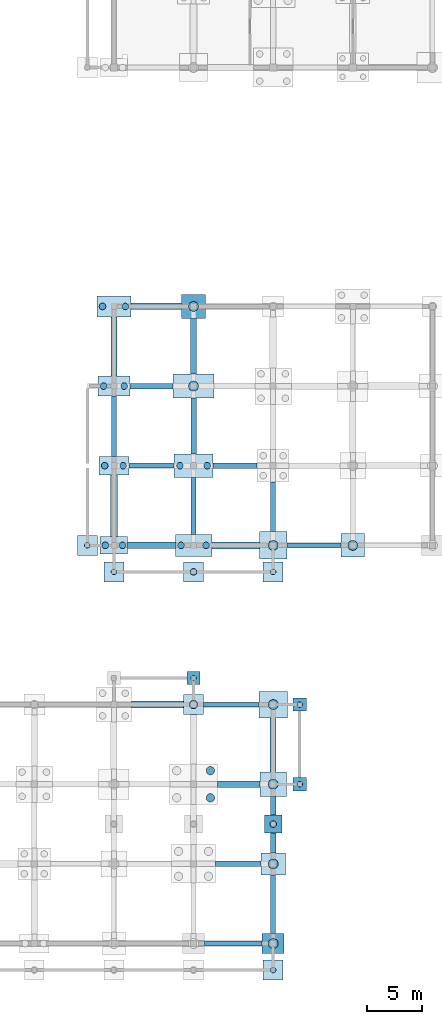
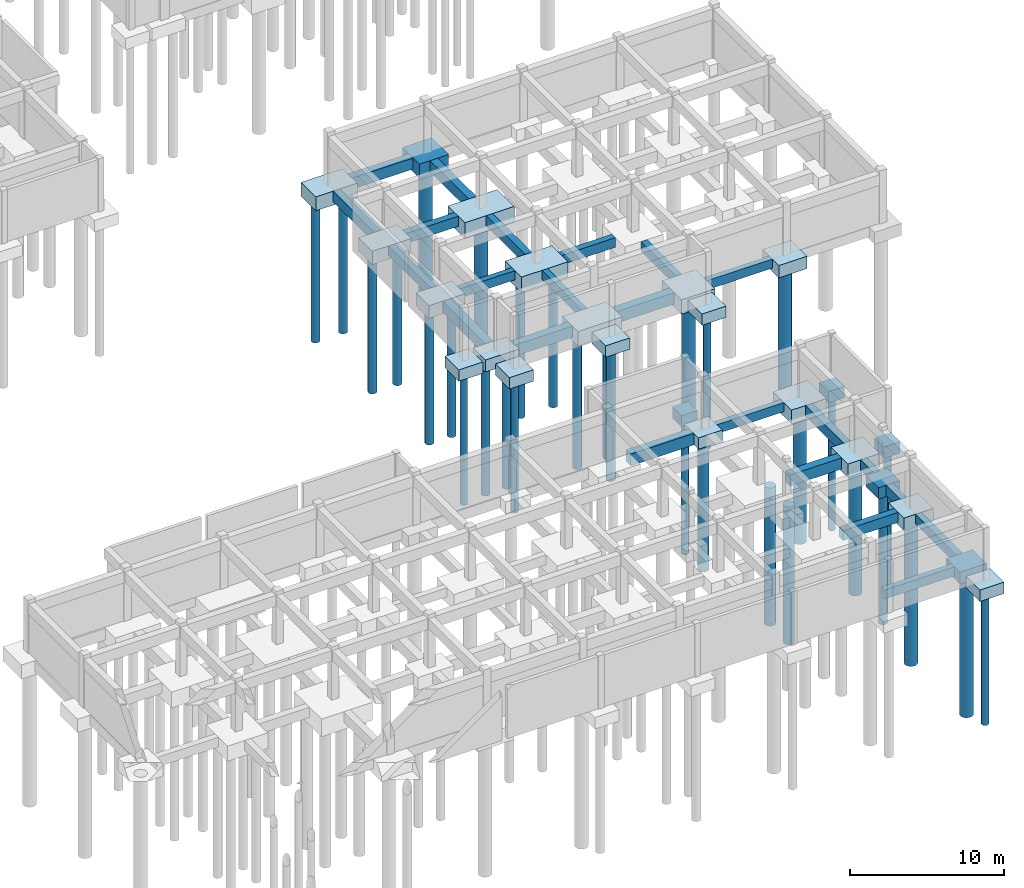
# One storey, part 6 of 38: 46 footings, 32 piles.
"""IFC4 building model written with IfcOpenShell, lengths in metres."""

from ifc_helpers import new_model, si_unit, direction, frame, origin, origin_2d, place, context, subcontext, project, spatial, polyline, rectangle, circle, outline, extrude, material, material_profile, profile_set, type_object, element, save


model = new_model("IFC4")

# Units and contexts
model_context = context("Model", 3, precision=1e-05, world=origin(), true_north=direction((0.0, 1.0)))
body_context = subcontext(model_context, "Body", "Model", "MODEL_VIEW")
ifc_project = project(units=[si_unit("LENGTHUNIT", "METRE"), si_unit("AREAUNIT", "SQUARE_METRE"), si_unit("VOLUMEUNIT", "CUBIC_METRE"), si_unit("PLANEANGLEUNIT", "RADIAN"), si_unit("MASSUNIT", "GRAM", prefix="KILO"), si_unit("THERMODYNAMICTEMPERATUREUNIT", "KELVIN"), si_unit("POWERUNIT", "WATT")], contexts=[model_context])

# Site, building, storey
site_placement = place(None, origin())
site = spatial("IfcSite", under=ifc_project, at=site_placement, CompositionType="ELEMENT")
building_placement = place(site_placement, origin())
building = spatial("IfcBuilding", under=site, at=building_placement, Name="Tavuni Mirador Residences", CompositionType="ELEMENT")
storey_placement = place(building_placement, frame((0.0, 0.0, -4.199951171875)))
storey = spatial("IfcBuildingStorey", under=building, at=storey_placement, Name="B1", CompositionType="ELEMENT", Elevation=-4.199951171875)

# Footings
ifc_material = material(Name="In-situ concrete C35/45", Category="concrete")
footing_type_1 = type_object("IfcFootingType", Name="FT-GB01", PredefinedType="FOOTING_BEAM", material=ifc_material)
footing_1_placement = place(storey_placement, frame((0.0, 0.0, -0.719970703125)))
element("IfcFooting", 1, at=footing_1_placement, inside=storey, type_object=footing_type_1, Name="GBX-PAV-NURS-00-01", PredefinedType="FOOTING_BEAM", context=body_context, shape_type="SweptSolid", body=[
    extrude(outline(polyline([(91.35009765625, 50.18994140625), (95.449951171875, 50.18994140625), (95.449951171875, 50.610107421875), (91.35009765625, 50.610107421875), (91.35009765625, 50.18994140625)])), origin(), (0.0, 0.0, 1.0), 0.719970703125),
])
footing_2_placement = place(storey_placement, frame((0.0, 0.0, -0.719970703125)))
element("IfcFooting", 2, at=footing_2_placement, inside=storey, type_object=footing_type_1, Name="GBY-PAV-NURS-01-00", PredefinedType="FOOTING_BEAM", context=body_context, shape_type="SweptSolid", body=[
    extrude(outline(polyline([(96.989990234375, 44.199951171875), (97.409912109375, 44.199951171875), (97.409912109375, 49.35009765625), (96.989990234375, 49.35009765625), (96.989990234375, 44.199951171875)])), origin(), (0.0, 0.0, 1.0), 0.719970703125),
])
footing_3_placement = place(storey_placement, frame((0.0, 0.0, -0.719970703125)))
element("IfcFooting", 3, at=footing_3_placement, inside=storey, type_object=footing_type_1, Name="GBX-PAV-NURS-02-00", PredefinedType="FOOTING_BEAM", context=body_context, shape_type="SweptSolid", body=[
    extrude(outline(polyline([(105.64990234375, 42.989990234375), (110.550048828125, 42.989990234375), (110.550048828125, 43.409912109375), (105.64990234375, 43.409912109375), (105.64990234375, 42.989990234375)])), origin(), (0.0, 0.0, 1.0), 0.719970703125),
])
footing_4_placement = place(storey_placement, frame((0.0, 0.0, -0.719970703125)))
element("IfcFooting", 4, at=footing_4_placement, inside=storey, type_object=footing_type_1, Name="GBX-PAV-SHOP-07-00", PredefinedType="FOOTING_BEAM", context=body_context, shape_type="SweptSolid", body=[
    extrude(outline(polyline([(98.199951171875, 6.989990234375), (103.39990234375, 6.989990234375), (103.39990234375, 7.409912109375), (98.199951171875, 7.409912109375), (98.199951171875, 6.989990234375)])), origin(), (0.0, 0.0, 1.0), 0.719970703125),
])
footing_5_placement = place(storey_placement, frame((0.0, 0.0, -0.719970703125)))
element("IfcFooting", 5, at=footing_5_placement, inside=storey, type_object=footing_type_1, Name="GBX-PAV-SHOP-07-03", PredefinedType="FOOTING_BEAM", context=body_context, shape_type="SweptSolid", body=[
    extrude(outline(polyline([(98.10009765625, 28.590087890625), (103.10009765625, 28.590087890625), (103.10009765625, 29.010009765625), (98.10009765625, 29.010009765625), (98.10009765625, 28.590087890625)])), origin(), (0.0, 0.0, 1.0), 0.719970703125),
])
footing_type_2 = type_object("IfcFootingType", Name="FT-GB02", PredefinedType="FOOTING_BEAM", material=ifc_material)
footing_6_placement = place(storey_placement, frame((0.0, 0.0, -0.760009765625)))
element("IfcFooting", 6, at=footing_6_placement, inside=storey, type_object=footing_type_2, Name="GBY-PAV-NURS-00-01", PredefinedType="FOOTING_BEAM", context=body_context, shape_type="SweptSolid", body=[
    extrude(outline(polyline([(89.77001953125, 51.25), (90.22998046875, 51.25), (90.22998046875, 56.699951171875), (89.77001953125, 56.699951171875), (89.77001953125, 51.25)])), origin(), (0.0, 0.0, 1.0), 0.760009765625),
])
footing_7_placement = place(storey_placement, frame((0.0, 0.0, -0.760009765625)))
element("IfcFooting", 7, at=footing_7_placement, inside=storey, type_object=footing_type_2, Name="GBX-PAV-NURS-01-01", PredefinedType="FOOTING_BEAM", context=body_context, shape_type="SweptSolid", body=[
    extrude(outline(polyline([(98.949951171875, 50.169921875), (102.949951171875, 50.169921875), (102.949951171875, 50.6298828125), (98.949951171875, 50.6298828125), (98.949951171875, 50.169921875)])), origin(), (0.0, 0.0, 1.0), 0.760009765625),
])
footing_8_placement = place(storey_placement, frame((0.0, 0.0, -0.760009765625)))
element("IfcFooting", 8, at=footing_8_placement, inside=storey, type_object=footing_type_2, Name="GBY-PAV-NURS-02-00", PredefinedType="FOOTING_BEAM", context=body_context, shape_type="SweptSolid", body=[
    extrude(outline(polyline([(104.169921875, 44.449951171875), (104.6298828125, 44.449951171875), (104.6298828125, 48.949951171875), (104.169921875, 48.949951171875), (104.169921875, 44.449951171875)])), origin(), (0.0, 0.0, 1.0), 0.760009765625),
])
footing_9_placement = place(storey_placement, frame((0.0, 0.0, -0.760009765625)))
element("IfcFooting", 9, at=footing_9_placement, inside=storey, type_object=footing_type_2, Name="GBY-PAV-SHOP-08-00", PredefinedType="FOOTING_BEAM", context=body_context, shape_type="SweptSolid", body=[
    extrude(outline(polyline([(104.169921875, 8.10009765625), (104.6298828125, 8.10009765625), (104.6298828125, 13.39990234375), (104.169921875, 13.39990234375), (104.169921875, 8.10009765625)])), origin(), (0.0, 0.0, 1.0), 0.760009765625),
])
footing_type_3 = type_object("IfcFootingType", Name="FT-GB03", PredefinedType="FOOTING_BEAM", material=ifc_material)
footing_10_placement = place(storey_placement, frame((0.0, 0.0, -0.800048828125)))
element("IfcFooting", 10, at=footing_10_placement, inside=storey, type_object=footing_type_3, Name="GBX-PAV-NURS-00-02", PredefinedType="FOOTING_BEAM", context=body_context, shape_type="SweptSolid", body=[
    extrude(outline(polyline([(91.449951171875, 57.35009765625), (95.35009765625, 57.35009765625), (95.35009765625, 57.85009765625), (91.449951171875, 57.85009765625), (91.449951171875, 57.35009765625)])), origin(), (0.0, 0.0, 1.0), 0.800048828125),
])
footing_11_placement = place(storey_placement, frame((0.0, 0.0, -0.800048828125)))
element("IfcFooting", 11, at=footing_11_placement, inside=storey, type_object=footing_type_3, Name="GBY-PAV-NURS-01-01", PredefinedType="FOOTING_BEAM", context=body_context, shape_type="SweptSolid", body=[
    extrude(outline(polyline([(96.949951171875, 51.449951171875), (97.449951171875, 51.449951171875), (97.449951171875, 56.5), (96.949951171875, 56.5), (96.949951171875, 51.449951171875)])), origin(), (0.0, 0.0, 1.0), 0.800048828125),
])
footing_12_placement = place(storey_placement, frame((0.0, 0.0, -0.800048828125)))
element("IfcFooting", 12, at=footing_12_placement, inside=storey, type_object=footing_type_3, Name="GBX-PAV-SHOP-07-01", PredefinedType="FOOTING_BEAM", context=body_context, shape_type="SweptSolid", body=[
    extrude(outline(polyline([(99.175048828125, 14.14990234375), (103.300048828125, 14.14990234375), (103.300048828125, 14.64990234375), (99.175048828125, 14.64990234375), (99.175048828125, 14.14990234375)])), origin(), (0.0, 0.0, 1.0), 0.800048828125),
])
footing_13_placement = place(storey_placement, frame((0.0, 0.0, -0.800048828125)))
element("IfcFooting", 13, at=footing_13_placement, inside=storey, type_object=footing_type_3, Name="GBY-PAV-SHOP-08-01", PredefinedType="FOOTING_BEAM", context=body_context, shape_type="SweptSolid", body=[
    extrude(outline(polyline([(104.14990234375, 15.39990234375), (104.64990234375, 15.39990234375), (104.64990234375, 20.5), (104.14990234375, 20.5), (104.14990234375, 15.39990234375)])), origin(), (0.0, 0.0, 1.0), 0.800048828125),
])
footing_type_4 = type_object("IfcFootingType", Name="FT-GB04", PredefinedType="FOOTING_BEAM", material=ifc_material)
footing_14_placement = place(storey_placement, frame((0.0, 0.0, -0.840087890625)))
element("IfcFooting", 14, at=footing_14_placement, inside=storey, type_object=footing_type_4, Name="GBY-PAV-NURS-00-02", PredefinedType="FOOTING_BEAM", context=body_context, shape_type="SweptSolid", body=[
    extrude(outline(polyline([(89.72998046875, 58.5), (90.27001953125, 58.5), (90.27001953125, 63.85009765625), (89.72998046875, 63.85009765625), (89.72998046875, 58.5)])), origin(), (0.0, 0.0, 1.0), 0.840087890625),
])
footing_15_placement = place(storey_placement, frame((0.0, 0.0, -0.840087890625)))
element("IfcFooting", 15, at=footing_15_placement, inside=storey, type_object=footing_type_4, Name="GBY-PAV-SHOP-08-02", PredefinedType="FOOTING_BEAM", context=body_context, shape_type="SweptSolid", body=[
    extrude(outline(polyline([(104.1298828125, 22.699951171875), (104.669921875, 22.699951171875), (104.669921875, 27.60009765625), (104.1298828125, 27.60009765625), (104.1298828125, 22.699951171875)])), origin(), (0.0, 0.0, 1.0), 0.840087890625),
])
footing_type_5 = type_object("IfcFootingType", Name="FT-GB05", PredefinedType="FOOTING_BEAM", material=ifc_material)
footing_16_placement = place(storey_placement, frame((0.0, 0.0, -0.880126953125)))
element("IfcFooting", 16, at=footing_16_placement, inside=storey, type_object=footing_type_5, Name="GBX-PAV-NURS-00-00", PredefinedType="FOOTING_BEAM", context=body_context, shape_type="SweptSolid", body=[
    extrude(outline(polyline([(91.25, 42.909912109375), (95.550048828125, 42.909912109375), (95.550048828125, 43.489990234375), (91.25, 43.489990234375), (91.25, 42.909912109375)])), origin(), (0.0, 0.0, 1.0), 0.880126953125),
])
footing_17_placement = place(storey_placement, frame((0.0, 0.0, -0.880126953125)))
element("IfcFooting", 17, at=footing_17_placement, inside=storey, type_object=footing_type_5, Name="GBX-PAV-NURS-00-03", PredefinedType="FOOTING_BEAM", context=body_context, shape_type="SweptSolid", body=[
    extrude(outline(polyline([(91.550048828125, 64.510009765625), (96.10009765625, 64.510009765625), (96.10009765625, 65.090087890625), (91.550048828125, 65.090087890625), (91.550048828125, 64.510009765625)])), origin(), (0.0, 0.0, 1.0), 0.880126953125),
])
footing_18_placement = place(storey_placement, frame((0.0, 0.0, -0.880126953125)))
element("IfcFooting", 18, at=footing_18_placement, inside=storey, type_object=footing_type_5, Name="GBY-PAV-NURS-01-02", PredefinedType="FOOTING_BEAM", context=body_context, shape_type="SweptSolid", body=[
    extrude(outline(polyline([(96.909912109375, 58.699951171875), (97.489990234375, 58.699951171875), (97.489990234375, 63.699951171875), (96.909912109375, 63.699951171875), (96.909912109375, 58.699951171875)])), origin(), (0.0, 0.0, 1.0), 0.880126953125),
])
footing_19_placement = place(storey_placement, frame((0.0, 0.0, -0.880126953125)))
element("IfcFooting", 19, at=footing_19_placement, inside=storey, type_object=footing_type_5, Name="GBX-PAV-SHOP-07-02", PredefinedType="FOOTING_BEAM", context=body_context, shape_type="SweptSolid", body=[
    extrude(outline(polyline([(99.35009765625, 21.31005859375), (103.199951171875, 21.31005859375), (103.199951171875, 21.889892578125), (99.35009765625, 21.889892578125), (99.35009765625, 21.31005859375)])), origin(), (0.0, 0.0, 1.0), 0.880126953125),
])
footing_type_6 = type_object("IfcFootingType", Name="FT-GB06", PredefinedType="FOOTING_BEAM", material=ifc_material)
footing_20_placement = place(storey_placement, frame((0.0, 0.0, -0.920166015625)))
element("IfcFooting", 20, at=footing_20_placement, inside=storey, type_object=footing_type_6, Name="GBY-PAV-NURS-00-00", PredefinedType="FOOTING_BEAM", context=body_context, shape_type="SweptSolid", body=[
    extrude(outline(polyline([(89.68994140625, 44.0), (90.31005859375, 44.0), (90.31005859375, 49.550048828125), (89.68994140625, 49.550048828125), (89.68994140625, 44.0)])), origin(), (0.0, 0.0, 1.0), 0.920166015625),
])
footing_21_placement = place(storey_placement, frame((0.0, 0.0, -0.920166015625)))
element("IfcFooting", 21, at=footing_21_placement, inside=storey, type_object=footing_type_6, Name="GBX-PAV-NURS-01-00", PredefinedType="FOOTING_BEAM", context=body_context, shape_type="SweptSolid", body=[
    extrude(outline(polyline([(98.85009765625, 42.889892578125), (103.14990234375, 42.889892578125), (103.14990234375, 43.510009765625), (98.85009765625, 43.510009765625), (98.85009765625, 42.889892578125)])), origin(), (0.0, 0.0, 1.0), 0.920166015625),
])
footing_22_placement = place(storey_placement, frame((0.0, 0.0, -0.920166015625)))
element("IfcFooting", 22, at=footing_22_placement, inside=storey, type_object=footing_type_6, Name="GBX-PAV-SHOP-06-03", PredefinedType="FOOTING_BEAM", context=body_context, shape_type="SweptSolid", body=[
    extrude(outline(polyline([(91.574951171875, 28.489990234375), (96.300048828125, 28.489990234375), (96.300048828125, 29.110107421875), (91.574951171875, 29.110107421875), (91.574951171875, 28.489990234375)])), origin(), (0.0, 0.0, 1.0), 0.920166015625),
])
footing_type_7 = type_object("IfcFootingType", Name="FT-PC01", PredefinedType="PILE_CAP", material=ifc_material)
for number, where, z_axis, x_axis, name in (
    (23, (97.199951171875, 28.800048828125, -0.89990234375), (0.0, 0.0, 1.0), (1.0, 0.0, 0.0), "CAP-PAV-SHOP-07-03"),
    (24, (90.0, 40.800048828125, -0.89990234375), (0.0, 0.0, 1.0), (1.0, 0.0, 0.0), "CAP-APR-NURS-S-0"),
    (25, (104.39990234375, 40.800048828125, -0.89990234375), (0.0, 0.0, 1.0), (1.0, 0.0, 0.0), "CAP-APR-NURS-S-1"),
    (26, (97.199951171875, 40.800048828125, -0.89990234375), (0.0, 0.0, 1.0), (1.0, 0.0, 0.0), "CAP-APR-NURS-S-S1"),
    (27, (87.60009765625, 43.199951171875, -0.89990234375), (0.0, 0.0, 1.0), (1.0, 0.0, 0.0), "CAP-APR-NURS-W-0"),
    (28, (104.39990234375, 4.800048828125, -0.89990234375), (0.0, 0.0, 1.0), (1.0, 0.0, 0.0), "CAP-APR-SHOP-S-1"),
):
    element("IfcFooting", number, at=place(storey_placement, frame(where, z_axis=z_axis, x_axis=x_axis)), inside=storey, type_object=footing_type_7, Name=name, PredefinedType="PILE_CAP", context=body_context, shape_type="SweptSolid", body=[
        extrude(rectangle(XDim=1.800048828125, YDim=1.800048828125, at=origin_2d()), origin(), (0.0, 0.0, 1.0), 0.89990234375),
    ])
for number, where, z_axis, x_axis, name in (
    (29, (97.199951171875, 31.199951171875, -0.89990234375), (0.0, 0.0, 1.0), (1.0, 0.0, 0.0), "CAP-APR-SHOP-CPN-2"),
    (30, (106.800048828125, 21.60009765625, -0.89990234375), (0.0, 0.0, 1.0), (1.0, 0.0, 0.0), "CAP-APR-SHOP-E-1"),
    (31, (106.800048828125, 28.800048828125, -0.89990234375), (0.0, 0.0, 1.0), (1.0, 0.0, 0.0), "CAP-APR-SHOP-E-2"),
):
    element("IfcFooting", number, at=place(storey_placement, frame(where, z_axis=z_axis, x_axis=x_axis)), inside=storey, type_object=footing_type_7, Name=name, PredefinedType="PILE_CAP", context=body_context, shape_type="SweptSolid", body=[
        extrude(rectangle(XDim=1.199951171875, YDim=1.199951171875, at=origin_2d()), origin(), (0.0, 0.0, 1.0), 0.89990234375),
    ])
footing_23_placement = place(storey_placement, frame((104.39990234375, 18.0, -0.89990234375), z_axis=(0.0, 0.0, 1.0), x_axis=(1.0, 0.0, 0.0)))
element("IfcFooting", 32, at=footing_23_placement, inside=storey, type_object=footing_type_7, Name="CAP-SHOP-CP-RDG-3", PredefinedType="PILE_CAP", context=body_context, shape_type="SweptSolid", body=[
    extrude(rectangle(XDim=1.60009765625, YDim=1.60009765625, at=origin_2d()), origin(), (0.0, 0.0, 1.0), 0.89990234375),
])
footing_type_8 = type_object("IfcFootingType", Name="FT-PC02", PredefinedType="PILE_CAP", material=ifc_material)
footing_24_placement = place(storey_placement, frame((104.39990234375, 7.199951171875, -0.9501953125), z_axis=(0.0, 0.0, 1.0), x_axis=(1.0, 0.0, 0.0)))
element("IfcFooting", 33, at=footing_24_placement, inside=storey, type_object=footing_type_8, Name="CAP-PAV-SHOP-08-00", PredefinedType="PILE_CAP", context=body_context, shape_type="SweptSolid", body=[
    extrude(rectangle(XDim=2.0, YDim=1.800048828125, at=origin_2d()), origin(), (0.0, 0.0, 1.0), 0.949951171875),
])
footing_type_9 = type_object("IfcFootingType", Name="FT-PC03", PredefinedType="PILE_CAP", material=ifc_material)
footing_25_placement = place(storey_placement, frame((104.39990234375, 14.39990234375, -1.0), z_axis=(0.0, 0.0, 1.0), x_axis=(1.0, 0.0, 0.0)))
element("IfcFooting", 34, at=footing_25_placement, inside=storey, type_object=footing_type_9, Name="CAP-PAV-SHOP-08-01", PredefinedType="PILE_CAP", context=body_context, shape_type="SweptSolid", body=[
    extrude(rectangle(XDim=2.199951171875, YDim=2.0, at=origin_2d()), origin(), (0.0, 0.0, 1.0), 1.0),
])
footing_type_10 = type_object("IfcFootingType", Name="FT-PC04", PredefinedType="PILE_CAP", material=ifc_material)
footing_26_placement = place(storey_placement, frame((104.39990234375, 21.60009765625, -1.05029296875), z_axis=(0.0, 0.0, 1.0), x_axis=(1.0, 0.0, 0.0)))
element("IfcFooting", 35, at=footing_26_placement, inside=storey, type_object=footing_type_10, Name="CAP-PAV-SHOP-08-02", PredefinedType="PILE_CAP", context=body_context, shape_type="SweptSolid", body=[
    extrude(rectangle(XDim=2.39990234375, YDim=2.199951171875, at=origin_2d()), origin(), (0.0, 0.0, 1.0), 1.050048828125),
])
footing_type_11 = type_object("IfcFootingType", Name="FT-PC05", PredefinedType="PILE_CAP", material=ifc_material)
footing_27_placement = place(storey_placement, frame((104.39990234375, 28.800048828125, -1.10009765625), z_axis=(0.0, 0.0, 1.0), x_axis=(1.0, 0.0, 0.0)))
element("IfcFooting", 36, at=footing_27_placement, inside=storey, type_object=footing_type_11, Name="CAP-PAV-SHOP-08-03", PredefinedType="PILE_CAP", context=body_context, shape_type="SweptSolid", body=[
    extrude(rectangle(XDim=2.60009765625, YDim=2.39990234375, at=origin_2d()), origin(), (0.0, 0.0, 1.0), 1.10009765625),
])
footing_type_12 = type_object("IfcFootingType", Name="FT-PC14", PredefinedType="PILE_CAP", material=ifc_material)
footing_28_placement = place(storey_placement, frame((90.0, 43.199951171875, -0.9501953125), z_axis=(0.0, 0.0, 1.0), x_axis=(1.0, 0.0, 0.0)))
element("IfcFooting", 37, at=footing_28_placement, inside=storey, type_object=footing_type_12, Name="CAP-PAV-NURS-00-00", PredefinedType="PILE_CAP", context=body_context, shape_type="SweptSolid", body=[
    extrude(rectangle(XDim=2.5, YDim=1.60009765625, at=origin_2d()), origin(), (0.0, 0.0, 1.0), 0.949951171875),
])
footing_type_13 = type_object("IfcFootingType", Name="FT-PC15", PredefinedType="PILE_CAP", material=ifc_material)
footing_29_placement = place(storey_placement, frame((90.0, 50.39990234375, -1.0), z_axis=(0.0, 0.0, 1.0), x_axis=(1.0, 0.0, 0.0)))
element("IfcFooting", 38, at=footing_29_placement, inside=storey, type_object=footing_type_13, Name="CAP-PAV-NURS-00-01", PredefinedType="PILE_CAP", context=body_context, shape_type="SweptSolid", body=[
    extrude(rectangle(XDim=2.699951171875, YDim=1.699951171875, at=origin_2d()), origin(), (0.0, 0.0, 1.0), 1.0),
])
footing_type_14 = type_object("IfcFootingType", Name="FT-PC16", PredefinedType="PILE_CAP", material=ifc_material)
footing_30_placement = place(storey_placement, frame((90.0, 57.60009765625, -1.05029296875), z_axis=(0.0, 0.0, 1.0), x_axis=(1.0, 0.0, 0.0)))
element("IfcFooting", 39, at=footing_30_placement, inside=storey, type_object=footing_type_14, Name="CAP-PAV-NURS-00-02", PredefinedType="PILE_CAP", context=body_context, shape_type="SweptSolid", body=[
    extrude(rectangle(XDim=2.89990234375, YDim=1.800048828125, at=origin_2d()), origin(), (0.0, 0.0, 1.0), 1.050048828125),
])
footing_type_15 = type_object("IfcFootingType", Name="FT-PC17", PredefinedType="PILE_CAP", material=ifc_material)
footing_31_placement = place(storey_placement, frame((90.0, 64.800048828125, -1.10009765625), z_axis=(0.0, 0.0, 1.0), x_axis=(1.0, 0.0, 0.0)))
element("IfcFooting", 40, at=footing_31_placement, inside=storey, type_object=footing_type_15, Name="CAP-PAV-NURS-00-03", PredefinedType="PILE_CAP", context=body_context, shape_type="SweptSolid", body=[
    extrude(rectangle(XDim=3.10009765625, YDim=1.89990234375, at=origin_2d()), origin(), (0.0, 0.0, 1.0), 1.10009765625),
])
footing_type_16 = type_object("IfcFootingType", Name="FT-PC18", PredefinedType="PILE_CAP", material=ifc_material)
footing_32_placement = place(storey_placement, frame((97.199951171875, 43.199951171875, -1.14990234375), z_axis=(0.0, 0.0, 1.0), x_axis=(1.0, 0.0, 0.0)))
element("IfcFooting", 41, at=footing_32_placement, inside=storey, type_object=footing_type_16, Name="CAP-PAV-NURS-01-00", PredefinedType="PILE_CAP", context=body_context, shape_type="SweptSolid", body=[
    extrude(rectangle(XDim=3.300048828125, YDim=2.0, at=origin_2d()), origin(), (0.0, 0.0, 1.0), 1.14990234375),
])
footing_type_17 = type_object("IfcFootingType", Name="FT-PC19", PredefinedType="PILE_CAP", material=ifc_material)
footing_33_placement = place(storey_placement, frame((97.199951171875, 50.39990234375, -1.2001953125), z_axis=(0.0, 0.0, 1.0), x_axis=(1.0, 0.0, 0.0)))
element("IfcFooting", 42, at=footing_33_placement, inside=storey, type_object=footing_type_17, Name="CAP-PAV-NURS-01-01", PredefinedType="PILE_CAP", context=body_context, shape_type="SweptSolid", body=[
    extrude(rectangle(XDim=3.5, YDim=2.10009765625, at=origin_2d()), origin(), (0.0, 0.0, 1.0), 1.199951171875),
])
footing_type_18 = type_object("IfcFootingType", Name="FT-PC20", PredefinedType="PILE_CAP", material=ifc_material)
footing_34_placement = place(storey_placement, frame((97.199951171875, 57.60009765625, -1.25), z_axis=(0.0, 0.0, 1.0), x_axis=(1.0, 0.0, 0.0)))
element("IfcFooting", 43, at=footing_34_placement, inside=storey, type_object=footing_type_18, Name="CAP-PAV-NURS-01-02", PredefinedType="PILE_CAP", context=body_context, shape_type="SweptSolid", body=[
    extrude(rectangle(XDim=3.699951171875, YDim=2.199951171875, at=origin_2d()), origin(), (0.0, 0.0, 1.0), 1.25),
])
footing_type_19 = type_object("IfcFootingType", Name="FT-PC21", PredefinedType="PILE_CAP", material=ifc_material)
footing_35_placement = place(storey_placement, frame((97.199951171875, 64.800048828125, -1.10009765625), z_axis=(0.0, 0.0, 1.0), x_axis=(1.0, 0.0, 0.0)))
element("IfcFooting", 44, at=footing_35_placement, inside=storey, type_object=footing_type_19, Name="CAP-PAV-NURS-01-03", PredefinedType="PILE_CAP", context=body_context, shape_type="SweptSolid", body=[
    extrude(rectangle(XDim=2.199951171875, YDim=2.199951171875, at=origin_2d()), origin(), (0.0, 0.0, 1.0), 1.10009765625),
])
footing_type_20 = type_object("IfcFootingType", Name="FT-PC22", PredefinedType="PILE_CAP", material=ifc_material)
footing_36_placement = place(storey_placement, frame((104.39990234375, 43.199951171875, -1.14990234375), z_axis=(0.0, 0.0, 1.0), x_axis=(1.0, 0.0, 0.0)))
element("IfcFooting", 45, at=footing_36_placement, inside=storey, type_object=footing_type_20, Name="CAP-PAV-NURS-02-00", PredefinedType="PILE_CAP", context=body_context, shape_type="SweptSolid", body=[
    extrude(rectangle(XDim=2.5, YDim=2.5, at=origin_2d()), origin(), (0.0, 0.0, 1.0), 1.14990234375),
])
footing_type_21 = type_object("IfcFootingType", Name="FT-PC26", PredefinedType="PILE_CAP", material=ifc_material)
footing_37_placement = place(storey_placement, frame((111.60009765625, 43.199951171875, -0.97998046875), z_axis=(0.0, 0.0, 1.0), x_axis=(1.0, 0.0, 0.0)))
element("IfcFooting", 46, at=footing_37_placement, inside=storey, type_object=footing_type_21, Name="CAP-PAV-NURS-03-00", PredefinedType="PILE_CAP", context=body_context, shape_type="SweptSolid", body=[
    extrude(rectangle(XDim=2.10009765625, YDim=2.10009765625, at=origin_2d()), origin(), (0.0, 0.0, 1.0), 0.97998046875),
])

# Piles
ifc_material_profile_1 = material_profile(ifc_material, circle(Radius=0.25, at=origin_2d()), Name="PILE D500", Category="concrete")
ifc_profile_set_1 = profile_set([ifc_material_profile_1], Name="In-situ concrete C35/45")
pile_type_1 = type_object("IfcPileType", Name="PT-D500", PredefinedType="BORED", material=ifc_profile_set_1)
for number, where, z_axis, x_axis, name in (
    (47, (90.0, 40.800048828125, -0.800048828125), (0.0, 0.0, -1.0), (1.0, 0.0, 0.0), "PIL-APR-NURS-S-0"),
    (48, (104.39990234375, 40.800048828125, -0.800048828125), (0.0, 0.0, -1.0), (1.0, 0.0, 0.0), "PIL-APR-NURS-S-1"),
    (49, (87.60009765625, 43.199951171875, -0.800048828125), (0.0, 0.0, -1.0), (1.0, 0.0, 0.0), "PIL-APR-NURS-W-0"),
    (50, (104.39990234375, 4.800048828125, -0.800048828125), (0.0, 0.0, -1.0), (1.0, 0.0, 0.0), "PIL-APR-SHOP-S-1"),
    (51, (97.199951171875, 31.199951171875, -0.800048828125), (0.0, 0.0, -1.0), (1.0, 0.0, 0.0), "PIL-APR-SHOP-CPN-2"),
    (52, (106.800048828125, 21.60009765625, -0.800048828125), (0.0, 0.0, -1.0), (1.0, 0.0, 0.0), "PIL-APR-SHOP-E-1"),
    (53, (106.800048828125, 28.800048828125, -0.800048828125), (0.0, 0.0, -1.0), (1.0, 0.0, 0.0), "PIL-APR-SHOP-E-2"),
):
    element("IfcPile", number, at=place(storey_placement, frame(where, z_axis=z_axis, x_axis=x_axis)), inside=storey, type_object=pile_type_1, Name=name, PredefinedType="BORED", context=body_context, shape_type="SweptSolid", body=[
        extrude(circle(Radius=0.25, at=origin_2d()), origin(), (0.0, 0.0, 1.0), 10.60009765625),
    ])
ifc_material_profile_2 = material_profile(ifc_material, circle(Radius=0.300048828125, at=origin_2d()), Name="PILE D600", Category="concrete")
ifc_profile_set_2 = profile_set([ifc_material_profile_2], Name="In-situ concrete C35/45")
pile_type_2 = type_object("IfcPileType", Name="PT-D600", PredefinedType="BORED", material=ifc_profile_set_2)
for number, where, z_axis, x_axis, name in (
    (54, (89.219970703125, 43.199951171875, -0.949951171875), (0.0, 0.0, -1.0), (1.0, 0.0, 0.0), "PIL-PAV-NURS-00-00-1"),
    (55, (90.780029296875, 43.199951171875, -0.949951171875), (0.0, 0.0, -1.0), (1.0, 0.0, 0.0), "PIL-PAV-NURS-00-00-2"),
):
    element("IfcPile", number, at=place(storey_placement, frame(where, z_axis=z_axis, x_axis=x_axis)), inside=storey, type_object=pile_type_2, Name=name, PredefinedType="BORED", context=body_context, shape_type="SweptSolid", body=[
        extrude(circle(Radius=0.300048828125, at=origin_2d()), origin(), (0.0, 0.0, 1.0), 10.25),
    ])
for number, where, z_axis, x_axis, name in (
    (56, (89.169921875, 50.39990234375, -1.0), (0.0, 0.0, -1.0), (1.0, 0.0, 0.0), "PIL-PAV-NURS-00-01-1"),
    (57, (90.830078125, 50.39990234375, -1.0), (0.0, 0.0, -1.0), (1.0, 0.0, 0.0), "PIL-PAV-NURS-00-01-2"),
):
    element("IfcPile", number, at=place(storey_placement, frame(where, z_axis=z_axis, x_axis=x_axis)), inside=storey, type_object=pile_type_2, Name=name, PredefinedType="BORED", context=body_context, shape_type="SweptSolid", body=[
        extrude(circle(Radius=0.300048828125, at=origin_2d()), origin(), (0.0, 0.0, 1.0), 10.5),
    ])
for number, where, z_axis, x_axis, name in (
    (58, (89.070068359375, 57.60009765625, -1.050048828125), (0.0, 0.0, -1.0), (1.0, 0.0, 0.0), "PIL-PAV-NURS-00-02-1"),
    (59, (90.929931640625, 57.60009765625, -1.050048828125), (0.0, 0.0, -1.0), (1.0, 0.0, 0.0), "PIL-PAV-NURS-00-02-2"),
):
    element("IfcPile", number, at=place(storey_placement, frame(where, z_axis=z_axis, x_axis=x_axis)), inside=storey, type_object=pile_type_2, Name=name, PredefinedType="BORED", context=body_context, shape_type="SweptSolid", body=[
        extrude(circle(Radius=0.300048828125, at=origin_2d()), origin(), (0.0, 0.0, 1.0), 10.75),
    ])
for number, where, z_axis, x_axis, name in (
    (60, (88.969970703125, 64.800048828125, -1.10009765625), (0.0, 0.0, -1.0), (1.0, 0.0, 0.0), "PIL-PAV-NURS-00-03-1"),
    (61, (91.030029296875, 64.800048828125, -1.10009765625), (0.0, 0.0, -1.0), (1.0, 0.0, 0.0), "PIL-PAV-NURS-00-03-2"),
):
    element("IfcPile", number, at=place(storey_placement, frame(where, z_axis=z_axis, x_axis=x_axis)), inside=storey, type_object=pile_type_2, Name=name, PredefinedType="BORED", context=body_context, shape_type="SweptSolid", body=[
        extrude(circle(Radius=0.300048828125, at=origin_2d()), origin(), (0.0, 0.0, 1.0), 11.0),
    ])
for number, where, z_axis, x_axis, name in (
    (62, (96.070068359375, 43.199951171875, -1.150146484375), (0.0, 0.0, -1.0), (1.0, 0.0, 0.0), "PIL-PAV-NURS-01-00-1"),
    (63, (98.330078125, 43.199951171875, -1.150146484375), (0.0, 0.0, -1.0), (1.0, 0.0, 0.0), "PIL-PAV-NURS-01-00-2"),
):
    element("IfcPile", number, at=place(storey_placement, frame(where, z_axis=z_axis, x_axis=x_axis)), inside=storey, type_object=pile_type_2, Name=name, PredefinedType="BORED", context=body_context, shape_type="SweptSolid", body=[
        extrude(circle(Radius=0.300048828125, at=origin_2d()), origin(), (0.0, 0.0, 1.0), 10.35009765625),
    ])
for number, where, z_axis, x_axis, name in (
    (64, (95.969970703125, 50.39990234375, -1.199951171875), (0.0, 0.0, -1.0), (1.0, 0.0, 0.0), "PIL-PAV-NURS-01-01-1"),
    (65, (98.429931640625, 50.39990234375, -1.199951171875), (0.0, 0.0, -1.0), (1.0, 0.0, 0.0), "PIL-PAV-NURS-01-01-2"),
    (66, (97.199951171875, 40.800048828125, -0.800048828125), (0.0, 0.0, -1.0), (1.0, 0.0, 0.0), "PIL-APR-NURS-S-S1"),
    (67, (104.39990234375, 18.0, -0.800048828125), (0.0, 0.0, -1.0), (1.0, 0.0, 0.0), "PIL-SHOP-CP-RDG-3"),
):
    element("IfcPile", number, at=place(storey_placement, frame(where, z_axis=z_axis, x_axis=x_axis)), inside=storey, type_object=pile_type_2, Name=name, PredefinedType="BORED", context=body_context, shape_type="SweptSolid", body=[
        extrude(circle(Radius=0.300048828125, at=origin_2d()), origin(), (0.0, 0.0, 1.0), 10.60009765625),
    ])
ifc_material_profile_3 = material_profile(ifc_material, circle(Radius=0.375, at=origin_2d()), Name="PILE D750", Category="concrete")
ifc_profile_set_3 = profile_set([ifc_material_profile_3], Name="In-situ concrete C35/45")
pile_type_3 = type_object("IfcPileType", Name="PT-D750", PredefinedType="BORED", material=ifc_profile_set_3)
for number, where, z_axis, x_axis, name in (
    (68, (98.72509765625, 20.375, -1.47998046875), (0.0, 0.0, -1.0), (1.0, 0.0, 0.0), "PIL-PAV-SHOP-07-02-2"),
    (69, (98.72509765625, 22.824951171875, -1.47998046875), (0.0, 0.0, -1.0), (1.0, 0.0, 0.0), "PIL-PAV-SHOP-07-02-4"),
):
    element("IfcPile", number, at=place(storey_placement, frame(where, z_axis=z_axis, x_axis=x_axis)), inside=storey, type_object=pile_type_3, Name=name, PredefinedType="BORED", context=body_context, shape_type="SweptSolid", body=[
        extrude(circle(Radius=0.375, at=origin_2d()), origin(), (0.0, 0.0, 1.0), 10.919921875),
    ])
pile_1_placement = place(storey_placement, frame((97.199951171875, 28.800048828125, -0.900146484375), z_axis=(0.0, 0.0, -1.0), x_axis=(1.0, 0.0, 0.0)))
element("IfcPile", 70, at=pile_1_placement, inside=storey, type_object=pile_type_3, Name="PIL-PAV-SHOP-07-03-1", PredefinedType="BORED", context=body_context, shape_type="SweptSolid", body=[
    extrude(circle(Radius=0.375, at=origin_2d()), origin(), (0.0, 0.0, 1.0), 10.300048828125),
])
ifc_material_profile_4 = material_profile(ifc_material, circle(Radius=0.449951171875, at=origin_2d()), Name="PILE D900", Category="concrete")
ifc_profile_set_4 = profile_set([ifc_material_profile_4], Name="In-situ concrete C35/45")
pile_type_4 = type_object("IfcPileType", Name="PT-D900", PredefinedType="BORED", material=ifc_profile_set_4)
pile_2_placement = place(storey_placement, frame((97.199951171875, 57.60009765625, -1.25), z_axis=(0.0, 0.0, -1.0), x_axis=(1.0, 0.0, 0.0)))
element("IfcPile", 71, at=pile_2_placement, inside=storey, type_object=pile_type_4, Name="PIL-PAV-NURS-01-02-1", PredefinedType="BORED", context=body_context, shape_type="SweptSolid", body=[
    extrude(circle(Radius=0.449951171875, at=origin_2d()), origin(), (0.0, 0.0, 1.0), 10.85009765625),
])
pile_3_placement = place(storey_placement, frame((97.199951171875, 64.800048828125, -1.10009765625), z_axis=(0.0, 0.0, -1.0), x_axis=(1.0, 0.0, 0.0)))
element("IfcPile", 72, at=pile_3_placement, inside=storey, type_object=pile_type_4, Name="PIL-PAV-NURS-01-03-1", PredefinedType="BORED", context=body_context, shape_type="SweptSolid", body=[
    extrude(circle(Radius=0.449951171875, at=origin_2d()), origin(), (0.0, 0.0, 1.0), 11.300048828125),
])
pile_4_placement = place(storey_placement, frame((104.39990234375, 43.199951171875, -1.150146484375), z_axis=(0.0, 0.0, -1.0), x_axis=(1.0, 0.0, 0.0)))
element("IfcPile", 73, at=pile_4_placement, inside=storey, type_object=pile_type_4, Name="PIL-PAV-NURS-02-00-1", PredefinedType="BORED", context=body_context, shape_type="SweptSolid", body=[
    extrude(circle(Radius=0.449951171875, at=origin_2d()), origin(), (0.0, 0.0, 1.0), 10.64990234375),
])
pile_5_placement = place(storey_placement, frame((111.60009765625, 43.199951171875, -0.97998046875), z_axis=(0.0, 0.0, -1.0), x_axis=(1.0, 0.0, 0.0)))
element("IfcPile", 74, at=pile_5_placement, inside=storey, type_object=pile_type_4, Name="PIL-PAV-NURS-03-00-1", PredefinedType="BORED", context=body_context, shape_type="SweptSolid", body=[
    extrude(circle(Radius=0.449951171875, at=origin_2d()), origin(), (0.0, 0.0, 1.0), 11.1201171875),
])
pile_6_placement = place(storey_placement, frame((104.39990234375, 7.199951171875, -0.949951171875), z_axis=(0.0, 0.0, -1.0), x_axis=(1.0, 0.0, 0.0)))
element("IfcPile", 75, at=pile_6_placement, inside=storey, type_object=pile_type_4, Name="PIL-PAV-SHOP-08-00-1", PredefinedType="BORED", context=body_context, shape_type="SweptSolid", body=[
    extrude(circle(Radius=0.449951171875, at=origin_2d()), origin(), (0.0, 0.0, 1.0), 11.14990234375),
])
pile_7_placement = place(storey_placement, frame((104.39990234375, 14.39990234375, -1.0), z_axis=(0.0, 0.0, -1.0), x_axis=(1.0, 0.0, 0.0)))
element("IfcPile", 76, at=pile_7_placement, inside=storey, type_object=pile_type_4, Name="PIL-PAV-SHOP-08-01-1", PredefinedType="BORED", context=body_context, shape_type="SweptSolid", body=[
    extrude(circle(Radius=0.449951171875, at=origin_2d()), origin(), (0.0, 0.0, 1.0), 11.39990234375),
])
pile_8_placement = place(storey_placement, frame((104.39990234375, 21.60009765625, -1.050048828125), z_axis=(0.0, 0.0, -1.0), x_axis=(1.0, 0.0, 0.0)))
element("IfcPile", 77, at=pile_8_placement, inside=storey, type_object=pile_type_4, Name="PIL-PAV-SHOP-08-02-1", PredefinedType="BORED", context=body_context, shape_type="SweptSolid", body=[
    extrude(circle(Radius=0.449951171875, at=origin_2d()), origin(), (0.0, 0.0, 1.0), 10.14990234375),
])
pile_9_placement = place(storey_placement, frame((104.39990234375, 28.800048828125, -1.10009765625), z_axis=(0.0, 0.0, -1.0), x_axis=(1.0, 0.0, 0.0)))
element("IfcPile", 78, at=pile_9_placement, inside=storey, type_object=pile_type_4, Name="PIL-PAV-SHOP-08-03-1", PredefinedType="BORED", context=body_context, shape_type="SweptSolid", body=[
    extrude(circle(Radius=0.449951171875, at=origin_2d()), origin(), (0.0, 0.0, 1.0), 10.39990234375),
])

save(model, "model.ifc")
